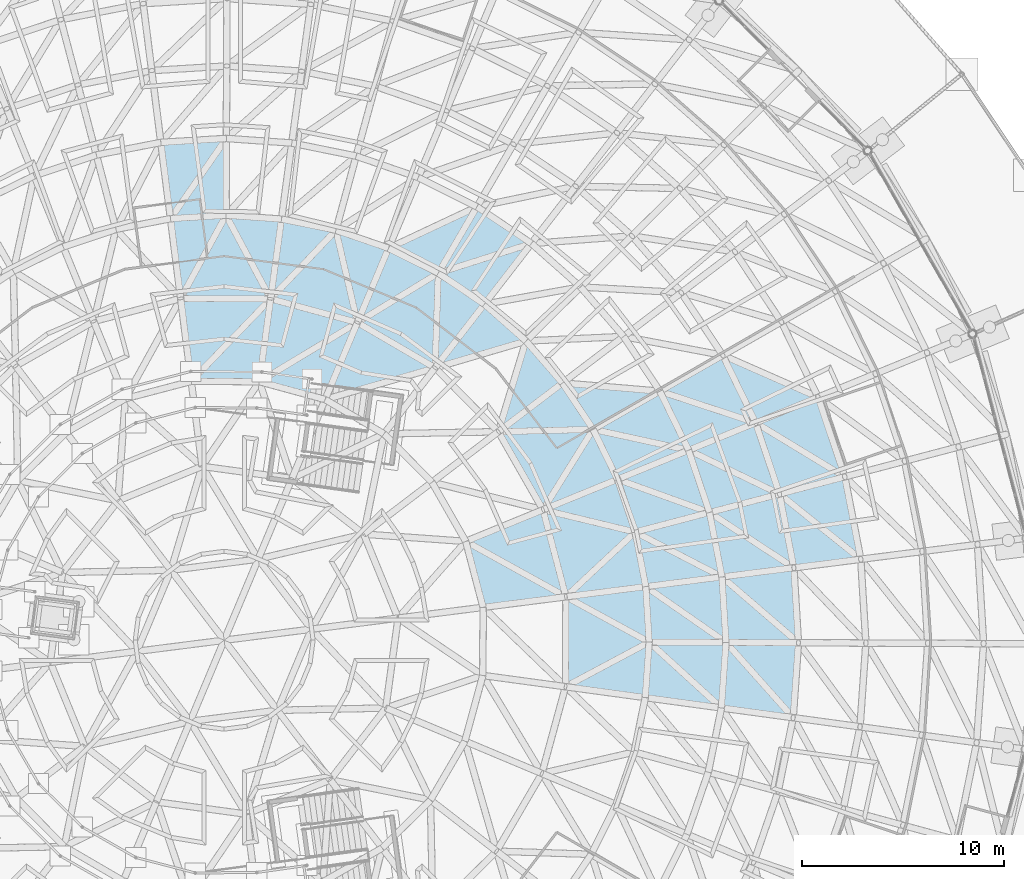
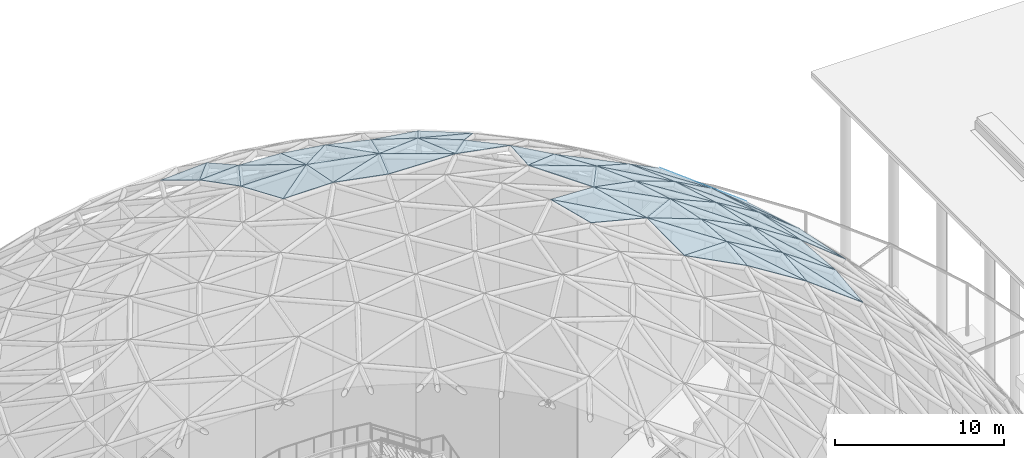
# One storey, part 151 of 226: 58 plates.
"""IFC4 building model written with IfcOpenShell, lengths in metres."""

from ifc_helpers import new_model, si_unit, direction, frame, origin, place, context, subcontext, project, spatial, polyline, outline, extrude, material, layer, layer_set, type_object, element, save


model = new_model("IFC4")

# Units and contexts
model_context = context("Model", 3, precision=1e-05, world=origin(), true_north=direction((0.0, 1.0)))
body_context = subcontext(model_context, "Body", "Model", "MODEL_VIEW")
ifc_project = project(units=[si_unit("LENGTHUNIT", "METRE"), si_unit("AREAUNIT", "SQUARE_METRE"), si_unit("VOLUMEUNIT", "CUBIC_METRE"), si_unit("PLANEANGLEUNIT", "RADIAN"), si_unit("MASSUNIT", "GRAM", prefix="KILO")], contexts=[model_context])

# Site, building, storey
site_placement = place(None, origin())
site = spatial("IfcSite", under=ifc_project, at=site_placement, CompositionType="ELEMENT")
building_placement = place(site_placement, origin())
building = spatial("IfcBuilding", under=site, at=building_placement, Name="Ceibo Conservatory and Research Tower", CompositionType="ELEMENT")
storey_placement = place(building_placement, origin())
storey = spatial("IfcBuildingStorey", under=building, at=storey_placement, Name="L00", CompositionType="ELEMENT", Elevation=0.0)

# Plates
ifc_material = material(Name="Laminated glass", Category="glass")
ifc_layer = layer(ifc_material, 0.035888671875)
ifc_layer_set = layer_set([ifc_layer], Name="Laminated glass")
plate_type = type_object("IfcPlateType", Name="Gridshell roof glass 36", PredefinedType="SHEET", material=ifc_layer_set)
plate_1_placement = place(storey_placement, frame((187.620849609375, 112.022705078125, 14.735107421875), z_axis=(0.632180999045, 0.122853903662, 0.765019021202), x_axis=(-0.190764654976, 0.981635801309, 0.0)))
element("IfcPlate", 1, at=plate_1_placement, inside=storey, type_object=plate_type, Name="Glass panel A-P04-001", PredefinedType="SHEET", context=body_context, shape_type="SweptSolid", body=[
    extrude(outline(polyline([(0.0, 0.0), (4.169588734096672, -1.1102230246251565e-16), (3.950102299217178, 4.372112161977718), (0.0, 0.0)])), origin(), (0.0, 0.0, -1.0), 0.035888671875),
])
plate_2_placement = place(storey_placement, frame((187.620849609375, 112.022705078125, 14.735107421875), z_axis=(0.632201146271, 0.122899902835, 0.764994983341), x_axis=(-0.685113764587, 0.549789812054, 0.477860117749)))
element("IfcPlate", 2, at=plate_2_placement, inside=storey, type_object=plate_type, Name="Glass panel A-P04-002", PredefinedType="SHEET", context=body_context, shape_type="SweptSolid", body=[
    extrude(outline(polyline([(0.0, 0.0), (5.892255334860694, -4.440892098500626e-16), (3.3911227864377533, 2.768068402707475), (0.0, 0.0)])), origin(), (0.0, 0.0, -1.0), 0.035888671875),
])
plate_3_placement = place(storey_placement, frame((186.825439453125, 116.11572265625, 14.735107421875), z_axis=(0.610779892155, 0.20446077531, 0.764946870507), x_axis=(-0.317439645997, 0.948278477637, 0.0)))
element("IfcPlate", 3, at=plate_3_placement, inside=storey, type_object=plate_type, Name="Glass panel A-P04-003", PredefinedType="SHEET", context=body_context, shape_type="SweptSolid", body=[
    extrude(outline(polyline([(0.0, 0.0), (4.169253414990529, 1.1102230246251565e-16), (3.9511782223790974, 4.371530440920581), (0.0, 0.0)])), origin(), (0.0, 0.0, -1.0), 0.035888671875),
])
plate_4_placement = place(storey_placement, frame((186.825439453125, 116.11572265625, 14.735107421875), z_axis=(0.610735918392, 0.204308966422, 0.765022538377), x_axis=(-0.750998574399, 0.455711868025, 0.477836619141)))
element("IfcPlate", 4, at=plate_4_placement, inside=storey, type_object=plate_type, Name="Glass panel A-P04-004", PredefinedType="SHEET", context=body_context, shape_type="SweptSolid", body=[
    extrude(outline(polyline([(0.0, 0.0), (5.892545098758103, 0.0), (3.390803005428059, 2.768753154470371), (0.0, 0.0)])), origin(), (0.0, 0.0, -1.0), 0.035888671875),
])
plate_5_placement = place(storey_placement, frame((185.501953125, 120.0693359375, 14.735107421875), z_axis=(0.578880737511, 0.282443557744, 0.764933152914), x_axis=(-0.804047227385, 0.3537956959, 0.477845855582)))
element("IfcPlate", 5, at=plate_5_placement, inside=storey, type_object=plate_type, Name="Glass panel A-P04-006", PredefinedType="SHEET", context=body_context, shape_type="SweptSolid", body=[
    extrude(outline(polyline([(0.0, 0.0), (5.892431199793323, 4.440892098500626e-16), (3.390734286170372, 2.767807107823177), (0.0, 0.0)])), origin(), (0.0, 0.0, -1.0), 0.035888671875),
])
plate_6_placement = place(storey_placement, frame((184.2958984375, 111.60009765625, 17.55078125), z_axis=(0.559639191027, 0.108793858736, 0.821564283649), x_axis=(-0.190827620624, 0.981623562883, 0.0)))
element("IfcPlate", 6, at=plate_6_placement, inside=storey, type_object=plate_type, Name="Glass panel A-P05-001", PredefinedType="SHEET", context=body_context, shape_type="SweptSolid", body=[
    extrude(outline(polyline([(0.0, 0.0), (3.73066571899013, 0.0), (3.4957060668333306, 4.37008531525886), (0.0, 0.0)])), origin(), (0.0, 0.0, -1.0), 0.035888671875),
])
plate_7_placement = place(storey_placement, frame((184.2958984375, 111.60009765625, 17.55078125), z_axis=(0.559669848346, 0.108868572224, 0.821533501955), x_axis=(-0.748971814786, 0.490749297794, 0.445203714462)))
element("IfcPlate", 7, at=plate_7_placement, inside=storey, type_object=plate_type, Name="Glass panel A-P05-002", PredefinedType="SHEET", context=body_context, shape_type="SweptSolid", body=[
    extrude(outline(polyline([(0.0, 0.0), (5.596213592093898, -2.220446049250313e-16), (3.559321338069287, 2.5458715288218237), (0.0, 0.0)])), origin(), (0.0, 0.0, -1.0), 0.035888671875),
])
plate_8_placement = place(storey_placement, frame((183.583984375, 115.26220703125, 17.55078125), z_axis=(0.540655760471, 0.180865110902, 0.82157115354), x_axis=(-0.317248220716, 0.948342536456, 0.0)))
element("IfcPlate", 8, at=plate_8_placement, inside=storey, type_object=plate_type, Name="Glass panel A-P05-003", PredefinedType="SHEET", context=body_context, shape_type="SweptSolid", body=[
    extrude(outline(polyline([(0.0, 0.0), (3.7315824434050784, 1.1102230246251565e-16), (3.4956492627569684, 4.370161202388543), (0.0, 0.0)])), origin(), (0.0, 0.0, -1.0), 0.035888671875),
])
plate_9_placement = place(storey_placement, frame((183.583984375, 115.26220703125, 17.55078125), z_axis=(0.540662237575, 0.18088960049, 0.821561499399), x_axis=(-0.806598383353, 0.388837221636, 0.44520182282)))
element("IfcPlate", 9, at=plate_9_placement, inside=storey, type_object=plate_type, Name="Glass panel A-P05-004", PredefinedType="SHEET", context=body_context, shape_type="SweptSolid", body=[
    extrude(outline(polyline([(0.0, 0.0), (5.596237370151074, 0.0), (3.559667075945538, 2.5459029850353927), (0.0, 0.0)])), origin(), (0.0, 0.0, -1.0), 0.035888671875),
])
plate_10_placement = place(storey_placement, frame((182.400146484375, 118.801025390625, 17.55078125), z_axis=(0.512356222357, 0.249985368139, 0.821582872952), x_axis=(-0.438502275837, 0.898730078547, 0.0)))
element("IfcPlate", 10, at=plate_10_placement, inside=storey, type_object=plate_type, Name="Glass panel A-P05-005", PredefinedType="SHEET", context=body_context, shape_type="SweptSolid", body=[
    extrude(outline(polyline([(0.0, 0.0), (3.7308502561409647, -2.220446049250313e-16), (3.4961486099480634, 4.370290669564486), (0.0, 0.0)])), origin(), (0.0, 0.0, -1.0), 0.035888671875),
])
plate_11_placement = place(storey_placement, frame((182.400146484375, 118.801025390625, 17.55078125), z_axis=(0.512359595382, 0.25001167626, 0.821572764126), x_axis=(-0.850510471446, 0.280100925125, 0.44516896759)))
element("IfcPlate", 11, at=plate_11_placement, inside=storey, type_object=plate_type, Name="Glass panel A-P05-006", PredefinedType="SHEET", context=body_context, shape_type="SweptSolid", body=[
    extrude(outline(polyline([(0.0, 0.0), (5.596650394595342, 2.220446049250313e-16), (3.559665229671319, 2.546125851811305), (0.0, 0.0)])), origin(), (0.0, 0.0, -1.0), 0.035888671875),
])
plate_12_placement = place(storey_placement, frame((184.263916015625, 104.154052734375, 17.55078125), z_axis=(0.568732881221, -0.039736306403, 0.821561887974), x_axis=(0.069698225387, 0.997568121673, 0.0)))
element("IfcPlate", 12, at=plate_12_placement, inside=storey, type_object=plate_type, Name="Glass panel A-P05-093", PredefinedType="SHEET", context=body_context, shape_type="SweptSolid", body=[
    extrude(outline(polyline([(0.0, 0.0), (3.730507687670031, 0.0), (3.4958145110330494, 4.370058852904279), (0.0, 0.0)])), origin(), (0.0, 0.0, -1.0), 0.035888671875),
])
plate_13_placement = place(storey_placement, frame((184.263916015625, 104.154052734375, 17.55078125), z_axis=(0.568635694864, -0.03986382489, 0.821622980443), x_axis=(-0.596450169592, 0.667865392502, 0.445199969331)))
element("IfcPlate", 13, at=plate_13_placement, inside=storey, type_object=plate_type, Name="Glass panel A-P05-094", PredefinedType="SHEET", context=body_context, shape_type="SweptSolid", body=[
    extrude(outline(polyline([(0.0, 0.0), (5.596260668821307, -2.220446049250313e-16), (3.559911507223866, 2.546613796477314), (0.0, 0.0)])), origin(), (0.0, 0.0, -1.0), 0.035888671875),
])
plate_14_placement = place(storey_placement, frame((184.52392578125, 107.87548828125, 17.55078125), z_axis=(0.569090988201, 0.034840782838, 0.821536102067), x_axis=(-0.061107402824, 0.998131196447, 0.0)))
element("IfcPlate", 14, at=plate_14_placement, inside=storey, type_object=plate_type, Name="Glass panel A-P05-095", PredefinedType="SHEET", context=body_context, shape_type="SweptSolid", body=[
    extrude(outline(polyline([(0.0, 0.0), (3.7315829705147348, 0.0), (3.4964130459758476, 4.3697740600050805), (0.0, 0.0)])), origin(), (0.0, 0.0, -1.0), 0.035888671875),
])
plate_15_placement = place(storey_placement, frame((184.52392578125, 107.87548828125, 17.55078125), z_axis=(0.569063433344, 0.034792700538, 0.821557226747), x_axis=(-0.678448059869, 0.584393660623, 0.4451879148)))
element("IfcPlate", 15, at=plate_15_placement, inside=storey, type_object=plate_type, Name="Glass panel A-P05-096", PredefinedType="SHEET", context=body_context, shape_type="SweptSolid", body=[
    extrude(outline(polyline([(0.0, 0.0), (5.596412201005515, 5.551115123125783e-16), (3.5595707300836565, 2.5459676907884607), (0.0, 0.0)])), origin(), (0.0, 0.0, -1.0), 0.035888671875),
])
plate_16_placement = place(storey_placement, frame((180.72705078125, 111.14599609375, 20.042236328125), z_axis=(0.481870066812, 0.093734737232, 0.871214690961), x_axis=(-0.190943814738, 0.98160096761, 0.0)))
element("IfcPlate", 16, at=plate_16_placement, inside=storey, type_object=plate_type, Name="Glass panel A-P06-001", PredefinedType="SHEET", context=body_context, shape_type="SweptSolid", body=[
    extrude(outline(polyline([(0.0, 0.0), (3.2604281767539405, 1.1102230246251565e-16), (3.011051529178231, 4.371037627159272), (0.0, 0.0)])), origin(), (0.0, 0.0, -1.0), 0.035888671875),
])
plate_17_placement = place(storey_placement, frame((180.72705078125, 111.14599609375, 20.042236328125), z_axis=(0.481876977089, 0.093753762431, 0.871208821685), x_axis=(-0.812580405363, 0.419859274321, 0.404266341149)))
element("IfcPlate", 17, at=plate_17_placement, inside=storey, type_object=plate_type, Name="Glass panel A-P06-002", PredefinedType="SHEET", context=body_context, shape_type="SweptSolid", body=[
    extrude(outline(polyline([(0.0, 0.0), (5.307768010134648, 2.220446049250313e-16), (3.741251569925175, 2.2739069111641284), (0.0, 0.0)])), origin(), (0.0, 0.0, -1.0), 0.035888671875),
])
plate_18_placement = place(storey_placement, frame((180.1044921875, 114.346435546875, 20.042236328125), z_axis=(0.465599720078, 0.155775901293, 0.871177805755), x_axis=(-0.317283434313, 0.948330755755, 0.0)))
element("IfcPlate", 18, at=plate_18_placement, inside=storey, type_object=plate_type, Name="Glass panel A-P06-003", PredefinedType="SHEET", context=body_context, shape_type="SweptSolid", body=[
    extrude(outline(polyline([(0.0, 0.0), (3.2602516118319063, 0.0), (3.0105649577236844, 4.370454885644657), (0.0, 0.0)])), origin(), (0.0, 0.0, -1.0), 0.035888671875),
])
plate_19_placement = place(storey_placement, frame((180.1044921875, 114.346435546875, 20.042236328125), z_axis=(0.465569273811, 0.155638241436, 0.871218680405), x_axis=(-0.86035567575, 0.310338968485, 0.404323924402)))
element("IfcPlate", 19, at=plate_19_placement, inside=storey, type_object=plate_type, Name="Glass panel A-P06-004", PredefinedType="SHEET", context=body_context, shape_type="SweptSolid", body=[
    extrude(outline(polyline([(0.0, 0.0), (5.307012085168929, -3.3306690738754696e-16), (3.7410351398121575, 2.2743822750559963), (0.0, 0.0)])), origin(), (0.0, 0.0, -1.0), 0.035888671875),
])
plate_20_placement = place(storey_placement, frame((179.070068359375, 117.438232421875, 20.042236328125), z_axis=(0.441206361546, 0.215291648719, 0.871198285423), x_axis=(-0.438537216855, 0.898713029522, 0.0)))
element("IfcPlate", 20, at=plate_20_placement, inside=storey, type_object=plate_type, Name="Glass panel A-P06-005", PredefinedType="SHEET", context=body_context, shape_type="SweptSolid", body=[
    extrude(outline(polyline([(0.0, 0.0), (3.2606848077332447, 0.0), (3.0112453088253677, 4.370778407725669), (0.0, 0.0)])), origin(), (0.0, 0.0, -1.0), 0.035888671875),
])
plate_21_placement = place(storey_placement, frame((179.070068359375, 117.438232421875, 20.042236328125), z_axis=(0.44121363703, 0.215375465247, 0.871173883601), x_axis=(-0.893552296286, 0.195260449796, 0.404274226915)))
element("IfcPlate", 21, at=plate_21_placement, inside=storey, type_object=plate_type, Name="Glass panel A-P06-006", PredefinedType="SHEET", context=body_context, shape_type="SweptSolid", body=[
    extrude(outline(polyline([(0.0, 0.0), (5.307664476901654, 1.1102230246251565e-16), (3.7409298838478167, 2.273469361313094), (0.0, 0.0)])), origin(), (0.0, 0.0, -1.0), 0.035888671875),
])
plate_22_placement = place(storey_placement, frame((177.64013671875, 120.36865234375, 20.042236328125), z_axis=(0.409432041815, 0.270871070921, 0.87120276978), x_axis=(-0.911353352823, 0.077015776295, 0.404355829066)))
element("IfcPlate", 22, at=plate_22_placement, inside=storey, type_object=plate_type, Name="Glass panel A-P06-008", PredefinedType="SHEET", context=body_context, shape_type="SweptSolid", body=[
    extrude(outline(polyline([(0.0, 0.0), (5.306593348938722, 1.1102230246251565e-16), (3.7408566000053782, 2.2741846563664385), (0.0, 0.0)])), origin(), (0.0, 0.0, -1.0), 0.035888671875),
])
plate_23_placement = place(storey_placement, frame((171.259521484375, 127.708251953125, 20.042236328125), z_axis=(0.274629343555, 0.406961785308, 0.871183579366), x_axis=(-0.828914653814, 0.559375094808, 0.0)))
element("IfcPlate", 23, at=plate_23_placement, inside=storey, type_object=plate_type, Name="Glass panel A-P06-013", PredefinedType="SHEET", context=body_context, shape_type="SweptSolid", body=[
    extrude(outline(polyline([(0.0, 0.0), (3.259863274301928, 0.0), (3.0104385485394936, 4.370546084690857), (0.0, 0.0)])), origin(), (0.0, 0.0, -1.0), 0.035888671875),
])
plate_24_placement = place(storey_placement, frame((171.259521484375, 127.708251953125, 20.042236328125), z_axis=(0.274584262684, 0.407058364757, 0.871152667658), x_axis=(-0.871533945163, -0.277400353092, 0.40432366556)))
element("IfcPlate", 24, at=plate_24_placement, inside=storey, type_object=plate_type, Name="Glass panel A-P06-014", PredefinedType="SHEET", context=body_context, shape_type="SweptSolid", body=[
    extrude(outline(polyline([(0.0, 0.0), (5.307015482636089, -3.3306690738754696e-16), (3.740020681835353, 2.274169122930282), (0.0, 0.0)])), origin(), (0.0, 0.0, -1.0), 0.035888671875),
])
plate_25_placement = place(storey_placement, frame((168.557373046875, 129.53173828125, 20.042236328125), z_axis=(0.219079391027, 0.439374201698, 0.871179964938), x_axis=(-0.827904044198, -0.388768541672, 0.404269606337)))
element("IfcPlate", 25, at=plate_25_placement, inside=storey, type_object=plate_type, Name="Glass panel A-P06-016", PredefinedType="SHEET", context=body_context, shape_type="SweptSolid", body=[
    extrude(outline(polyline([(0.0, 0.0), (5.307725140580083, -3.3306690738754696e-16), (3.7408477222334784, 2.2737511058356494), (0.0, 0.0)])), origin(), (0.0, 0.0, -1.0), 0.035888671875),
])
plate_26_placement = place(storey_placement, frame((156.1083984375, 132.926025390625, 20.042236328125), z_axis=(-0.029958632757, 0.489998251112, 0.871208467722), x_axis=(-0.998136156619, -0.061026329156, 0.0)))
element("IfcPlate", 26, at=plate_26_placement, inside=storey, type_object=plate_type, Name="Glass panel A-P06-023", PredefinedType="SHEET", context=body_context, shape_type="SweptSolid", body=[
    extrude(outline(polyline([(0.0, 0.0), (3.2604715395485115, -2.7755575615628914e-17), (3.0104601837676044, 4.370939289453489), (0.0, 0.0)])), origin(), (0.0, 0.0, -1.0), 0.035888671875),
])
plate_27_placement = place(storey_placement, frame((156.1083984375, 132.926025390625, 20.042236328125), z_axis=(-0.029991185499, 0.490015172623, 0.871197830226), x_axis=(-0.522381247198, -0.750773541345, 0.40429806108)))
element("IfcPlate", 27, at=plate_27_placement, inside=storey, type_object=plate_type, Name="Glass panel A-P06-024", PredefinedType="SHEET", context=body_context, shape_type="SweptSolid", body=[
    extrude(outline(polyline([(0.0, 0.0), (5.307351579661766, -3.3306690738754696e-16), (3.740830877042015, 2.274186750416638), (0.0, 0.0)])), origin(), (0.0, 0.0, -1.0), 0.035888671875),
])
plate_28_placement = place(storey_placement, frame((180.697998046875, 104.638916015625, 20.042236328125), z_axis=(0.489740328046, -0.034332917991, 0.871192092381), x_axis=(0.069932695265, 0.997551712009, 0.0)))
element("IfcPlate", 28, at=plate_28_placement, inside=storey, type_object=plate_type, Name="Glass panel A-P06-093", PredefinedType="SHEET", context=body_context, shape_type="SweptSolid", body=[
    extrude(outline(polyline([(0.0, 0.0), (3.2606686026560867, 2.7755575615628914e-17), (3.0098850054879334, 4.370680566432752), (0.0, 0.0)])), origin(), (0.0, 0.0, -1.0), 0.035888671875),
])
plate_29_placement = place(storey_placement, frame((180.697998046875, 104.638916015625, 20.042236328125), z_axis=(0.489768899145, -0.0342920704, 0.87117763937), x_axis=(-0.676091493235, 0.615962779186, 0.404339149023)))
element("IfcPlate", 29, at=plate_29_placement, inside=storey, type_object=plate_type, Name="Glass panel A-P06-094", PredefinedType="SHEET", context=body_context, shape_type="SweptSolid", body=[
    extrude(outline(polyline([(0.0, 0.0), (5.306812259733146, -4.440892098500626e-16), (3.740455873526321, 2.274150642060169), (0.0, 0.0)])), origin(), (0.0, 0.0, -1.0), 0.035888671875),
])
plate_30_placement = place(storey_placement, frame((180.926025390625, 107.8916015625, 20.042236328125), z_axis=(0.489998251112, 0.029958632757, 0.871208467722), x_axis=(-0.061026329156, 0.998136156619, 0.0)))
element("IfcPlate", 30, at=plate_30_placement, inside=storey, type_object=plate_type, Name="Glass panel A-P06-095", PredefinedType="SHEET", context=body_context, shape_type="SweptSolid", body=[
    extrude(outline(polyline([(0.0, 0.0), (3.2604715395485115, -2.7755575615628914e-17), (3.0104601837676044, 4.370939289453489), (0.0, 0.0)])), origin(), (0.0, 0.0, -1.0), 0.035888671875),
])
plate_31_placement = place(storey_placement, frame((180.926025390625, 107.8916015625, 20.042236328125), z_axis=(0.490015172623, 0.029991185499, 0.871197830226), x_axis=(-0.750773541345, 0.522381247198, 0.40429806108)))
element("IfcPlate", 31, at=plate_31_placement, inside=storey, type_object=plate_type, Name="Glass panel A-P06-096", PredefinedType="SHEET", context=body_context, shape_type="SweptSolid", body=[
    extrude(outline(polyline([(0.0, 0.0), (5.307351579661766, -3.3306690738754696e-16), (3.740830877042015, 2.274186750416638), (0.0, 0.0)])), origin(), (0.0, 0.0, -1.0), 0.035888671875),
])
plate_32_placement = place(storey_placement, frame((172.975830078125, 110.159912109375, 23.970458984375), z_axis=(0.407209701731, 0.024923109291, 0.912994576895), x_axis=(0.821259687133, -0.447391083843, -0.354081550476)))
element("IfcPlate", 32, at=plate_32_placement, inside=storey, type_object=plate_type, Name="Glass panel A-P07-001", PredefinedType="SHEET", context=body_context, shape_type="SweptSolid", body=[
    extrude(outline(polyline([(0.0, 0.0), (5.034068283787201, 4.996003610813204e-16), (3.662355446775371, 2.396730352017895), (0.0, 0.0)])), origin(), (0.0, 0.0, -1.0), 0.035888671875),
])
plate_33_placement = place(storey_placement, frame((172.975830078125, 110.159912109375, 23.970458984375), z_axis=(0.400470990238, 0.077915451172, 0.912990782235), x_axis=(0.906026061236, 0.11518462208, -0.407245968915)))
element("IfcPlate", 33, at=plate_33_placement, inside=storey, type_object=plate_type, Name="Glass panel A-P07-002", PredefinedType="SHEET", context=body_context, shape_type="SweptSolid", body=[
    extrude(outline(polyline([(0.0, 0.0), (4.3768897403075, -2.0816681711721685e-17), (4.211304628507482, 2.7563033158266026), (0.0, 0.0)])), origin(), (0.0, 0.0, -1.0), 0.035888671875),
])
plate_34_placement = place(storey_placement, frame((172.975830078125, 110.159912109375, 23.970458984375), z_axis=(0.382139696211, 0.100636958708, 0.918608434058), x_axis=(0.683121518537, 0.638689273207, -0.354148278552)))
element("IfcPlate", 34, at=plate_34_placement, inside=storey, type_object=plate_type, Name="Glass panel A-P07-003", PredefinedType="SHEET", context=body_context, shape_type="SweptSolid", body=[
    extrude(outline(polyline([(0.0, 0.0), (5.033119772360406, -3.3306690738754696e-16), (1.9819971711480149, 4.003626914101606), (0.0, 0.0)])), origin(), (0.0, 0.0, -1.0), 0.035888671875),
])
plate_35_placement = place(storey_placement, frame((171.838134765625, 114.47998046875, 23.970458984375), z_axis=(0.386892153049, 0.129336744741, 0.913009566417), x_axis=(0.909054153243, -0.219612506316, -0.354105766037)))
element("IfcPlate", 35, at=plate_35_placement, inside=storey, type_object=plate_type, Name="Glass panel A-P07-004", PredefinedType="SHEET", context=body_context, shape_type="SweptSolid", body=[
    extrude(outline(polyline([(0.0, 0.0), (5.0337240284850555, 0.0), (3.6627153495824496, 2.396963439197925), (0.0, 0.0)])), origin(), (0.0, 0.0, -1.0), 0.035888671875),
])
plate_36_placement = place(storey_placement, frame((171.838134765625, 114.47998046875, 23.970458984375), z_axis=(0.366598612819, 0.178952643727, 0.913006795365), x_axis=(0.845366731436, 0.345743113292, -0.407206076811)))
element("IfcPlate", 36, at=plate_36_placement, inside=storey, type_object=plate_type, Name="Glass panel A-P07-005", PredefinedType="SHEET", context=body_context, shape_type="SweptSolid", body=[
    extrude(outline(polyline([(0.0, 0.0), (4.37731852404168, -4.163336342344337e-17), (4.211284077199785, 2.756039329248196), (0.0, 0.0)])), origin(), (0.0, 0.0, -1.0), 0.035888671875),
])
plate_37_placement = place(storey_placement, frame((171.838134765625, 114.47998046875, 23.970458984375), z_axis=(0.34311311937, 0.19608315377, 0.918599359963), x_axis=(0.494591412434, 0.793694065344, -0.354159660865)))
element("IfcPlate", 37, at=plate_37_placement, inside=storey, type_object=plate_type, Name="Glass panel A-P07-006", PredefinedType="SHEET", context=body_context, shape_type="SweptSolid", body=[
    extrude(outline(polyline([(0.0, 0.0), (5.032958013260124, -1.1102230246251565e-16), (1.9819163539824523, 4.003031799736386), (0.0, 0.0)])), origin(), (0.0, 0.0, -1.0), 0.035888671875),
])
plate_38_placement = place(storey_placement, frame((169.621826171875, 118.358154296875, 23.970458984375), z_axis=(0.340267933711, 0.225113645712, 0.912984983339), x_axis=(0.934905203171, 0.023137375839, -0.354142517814)))
element("IfcPlate", 38, at=plate_38_placement, inside=storey, type_object=plate_type, Name="Glass panel A-P07-007", PredefinedType="SHEET", context=body_context, shape_type="SweptSolid", body=[
    extrude(outline(polyline([(0.0, 0.0), (5.033201644713687, 0.0), (3.662211229949117, 2.396629445875303), (0.0, 0.0)])), origin(), (0.0, 0.0, -1.0), 0.035888671875),
])
plate_39_placement = place(storey_placement, frame((169.621826171875, 118.358154296875, 23.970458984375), z_axis=(0.307963993064, 0.267606608331, 0.912986791884), x_axis=(0.727058940296, 0.55274106486, -0.407262338737)))
element("IfcPlate", 39, at=plate_39_placement, inside=storey, type_object=plate_type, Name="Glass panel A-P07-008", PredefinedType="SHEET", context=body_context, shape_type="SweptSolid", body=[
    extrude(outline(polyline([(0.0, 0.0), (4.376713812165697, 2.42861286636753e-16), (4.211938083613154, 2.756902291896569), (0.0, 0.0)])), origin(), (0.0, 0.0, -1.0), 0.035888671875),
])
plate_40_placement = place(storey_placement, frame((166.4765625, 121.530517578125, 23.970458984375), z_axis=(0.270271327109, 0.305578990472, 0.913003225802), x_axis=(0.897036088813, 0.264498828371, -0.354071497239)))
element("IfcPlate", 40, at=plate_40_placement, inside=storey, type_object=plate_type, Name="Glass panel A-P07-010", PredefinedType="SHEET", context=body_context, shape_type="SweptSolid", body=[
    extrude(outline(polyline([(0.0, 0.0), (5.034211217298663, 5.551115123125783e-17), (3.662523580409443, 2.396871404146357), (0.0, 0.0)])), origin(), (0.0, 0.0, -1.0), 0.035888671875),
])
plate_41_placement = place(storey_placement, frame((166.4765625, 121.530517578125, 23.970458984375), z_axis=(0.228135191726, 0.338199783118, 0.913003417844), x_axis=(0.559105649822, 0.722196723253, -0.407225693271)))
element("IfcPlate", 41, at=plate_41_placement, inside=storey, type_object=plate_type, Name="Glass panel A-P07-011", PredefinedType="SHEET", context=body_context, shape_type="SweptSolid", body=[
    extrude(outline(polyline([(0.0, 0.0), (4.377107664322382, 1.6653345369377348e-16), (4.212391767660467, 2.7568435898347388), (0.0, 0.0)])), origin(), (0.0, 0.0, -1.0), 0.035888671875),
])
plate_42_placement = place(storey_placement, frame((166.4765625, 121.530517578125, 23.970458984375), z_axis=(0.199028889129, 0.341309604163, 0.918637717165), x_axis=(0.031327900981, 0.93469653795, -0.354063475333)))
element("IfcPlate", 42, at=plate_42_placement, inside=storey, type_object=plate_type, Name="Glass panel A-P07-012", PredefinedType="SHEET", context=body_context, shape_type="SweptSolid", body=[
    extrude(outline(polyline([(0.0, 0.0), (5.034325275850436, -1.1102230246251565e-16), (1.9824045867603157, 4.003083493377818), (0.0, 0.0)])), origin(), (0.0, 0.0, -1.0), 0.035888671875),
])
plate_43_placement = place(storey_placement, frame((162.61767578125, 123.78076171875, 23.970458984375), z_axis=(0.182021530861, 0.365052889911, 0.913019468506), x_axis=(0.7979301895, 0.487769506188, -0.354102134302)))
element("IfcPlate", 43, at=plate_43_placement, inside=storey, type_object=plate_type, Name="Glass panel A-P07-013", PredefinedType="SHEET", context=body_context, shape_type="SweptSolid", body=[
    extrude(outline(polyline([(0.0, 0.0), (5.033775655256227, -1.1102230246251565e-16), (3.662956153207764, 2.397061290041822), (0.0, 0.0)])), origin(), (0.0, 0.0, -1.0), 0.035888671875),
])
plate_44_placement = place(storey_placement, frame((162.61767578125, 123.78076171875, 23.970458984375), z_axis=(0.132762062917, 0.385698859231, 0.913022795246), x_axis=(0.353028937503, 0.842361622756, -0.407182349559)))
element("IfcPlate", 44, at=plate_44_placement, inside=storey, type_object=plate_type, Name="Glass panel A-P07-014", PredefinedType="SHEET", context=body_context, shape_type="SweptSolid", body=[
    extrude(outline(polyline([(0.0, 0.0), (4.377573598300728, 4.163336342344337e-17), (4.212886507408967, 2.756264055384131), (0.0, 0.0)])), origin(), (0.0, 0.0, -1.0), 0.035888671875),
])
plate_45_placement = place(storey_placement, frame((162.61767578125, 123.78076171875, 23.970458984375), z_axis=(0.103921491762, 0.381182218069, 0.918640539155), x_axis=(-0.211629001354, 0.910964892399, -0.354056677104)))
element("IfcPlate", 45, at=plate_45_placement, inside=storey, type_object=plate_type, Name="Glass panel A-P07-015", PredefinedType="SHEET", context=body_context, shape_type="SweptSolid", body=[
    extrude(outline(polyline([(0.0, 0.0), (5.03442193973758, 0.0), (1.9825616252480445, 4.003347877980378), (0.0, 0.0)])), origin(), (0.0, 0.0, -1.0), 0.035888671875),
])
plate_46_placement = place(storey_placement, frame((158.3076171875, 124.955810546875, 23.970458984375), z_axis=(0.081312869546, 0.399746187862, 0.91301215903), x_axis=(0.644549380472, 0.677625578929, -0.35408991925)))
element("IfcPlate", 46, at=plate_46_placement, inside=storey, type_object=plate_type, Name="Glass panel A-P07-016", PredefinedType="SHEET", context=body_context, shape_type="SweptSolid", body=[
    extrude(outline(polyline([(0.0, 0.0), (5.0339493055935876, -2.7755575615628914e-16), (3.663128106836253, 2.3963389062024545), (0.0, 0.0)])), origin(), (0.0, 0.0, -1.0), 0.035888671875),
])
plate_47_placement = place(storey_placement, frame((158.3076171875, 124.955810546875, 23.970458984375), z_axis=(0.028492439874, 0.406936960889, 0.913011769219), x_axis=(0.123204699951, 0.904988438841, -0.407205755699)))
element("IfcPlate", 47, at=plate_47_placement, inside=storey, type_object=plate_type, Name="Glass panel A-P07-017", PredefinedType="SHEET", context=body_context, shape_type="SweptSolid", body=[
    extrude(outline(polyline([(0.0, 0.0), (4.377321975874442, 6.938893903907228e-17), (4.212483654863948, 2.7564581983625343), (0.0, 0.0)])), origin(), (0.0, 0.0, -1.0), 0.035888671875),
])
plate_48_placement = place(storey_placement, frame((158.3076171875, 124.955810546875, 23.970458984375), z_axis=(0.001770492032, 0.395100410812, 0.918636234172), x_axis=(-0.44005719562, 0.825216358901, -0.354072909987)))
element("IfcPlate", 48, at=plate_48_placement, inside=storey, type_object=plate_type, Name="Glass panel A-P07-018", PredefinedType="SHEET", context=body_context, shape_type="SweptSolid", body=[
    extrude(outline(polyline([(0.0, 0.0), (5.034191130838791, -1.6653345369377348e-16), (1.9824888584162523, 4.003617954590988), (0.0, 0.0)])), origin(), (0.0, 0.0, -1.0), 0.035888671875),
])
plate_49_placement = place(storey_placement, frame((153.840087890625, 124.975830078125, 23.970458984375), z_axis=(-0.024923109291, 0.407209701731, 0.912994576895), x_axis=(0.447391083843, 0.821259687133, -0.354081550476)))
element("IfcPlate", 49, at=plate_49_placement, inside=storey, type_object=plate_type, Name="Glass panel A-P07-019", PredefinedType="SHEET", context=body_context, shape_type="SweptSolid", body=[
    extrude(outline(polyline([(0.0, 0.0), (5.034068283787201, 4.996003610813204e-16), (3.662355446775371, 2.396730352017895), (0.0, 0.0)])), origin(), (0.0, 0.0, -1.0), 0.035888671875),
])
plate_50_placement = place(storey_placement, frame((172.955810546875, 105.6923828125, 23.970458984375), z_axis=(0.406936960889, -0.028492439874, 0.913011769219), x_axis=(0.904988438841, -0.123204699951, -0.407205755699)))
element("IfcPlate", 50, at=plate_50_placement, inside=storey, type_object=plate_type, Name="Glass panel A-P07-071", PredefinedType="SHEET", context=body_context, shape_type="SweptSolid", body=[
    extrude(outline(polyline([(0.0, 0.0), (4.377321975874442, 6.938893903907228e-17), (4.212483654863948, 2.7564581983625343), (0.0, 0.0)])), origin(), (0.0, 0.0, -1.0), 0.035888671875),
])
plate_51_placement = place(storey_placement, frame((172.955810546875, 105.6923828125, 23.970458984375), z_axis=(0.395100410812, -0.001770492032, 0.918636234172), x_axis=(0.825216358901, 0.44005719562, -0.354072909987)))
element("IfcPlate", 51, at=plate_51_placement, inside=storey, type_object=plate_type, Name="Glass panel A-P07-072", PredefinedType="SHEET", context=body_context, shape_type="SweptSolid", body=[
    extrude(outline(polyline([(0.0, 0.0), (5.034191130838791, -1.6653345369377348e-16), (1.9824888584162523, 4.003617954590988), (0.0, 0.0)])), origin(), (0.0, 0.0, -1.0), 0.035888671875),
])
plate_52_placement = place(storey_placement, frame((172.975830078125, 110.159912109375, 23.970458984375), z_axis=(0.312136703471, 0.082201584525, 0.946474288001), x_axis=(-0.254668146218, 0.967028508009, 0.0)))
element("IfcPlate", 52, at=plate_52_placement, inside=storey, type_object=plate_type, Name="Glass panel A-P08-001", PredefinedType="SHEET", context=body_context, shape_type="SweptSolid", body=[
    extrude(outline(polyline([(0.0, 0.0), (4.467364016258075, 0.0), (3.9257929376646996, 4.343078488735411), (0.0, 0.0)])), origin(), (0.0, 0.0, -1.0), 0.035888671875),
])
plate_53_placement = place(storey_placement, frame((172.975830078125, 110.159912109375, 23.970458984375), z_axis=(0.312107357561, 0.082140865451, 0.946489236906), x_axis=(-0.849760921174, 0.46964751898, 0.239452677498)))
element("IfcPlate", 53, at=plate_53_placement, inside=storey, type_object=plate_type, Name="Glass panel A-P08-002", PredefinedType="SHEET", context=body_context, shape_type="SweptSolid", body=[
    extrude(outline(polyline([(0.0, 0.0), (5.854415508719405, 5.551115123125783e-17), (3.58480860617293, 2.5116095956523146), (0.0, 0.0)])), origin(), (0.0, 0.0, -1.0), 0.035888671875),
])
plate_54_placement = place(storey_placement, frame((166.4765625, 121.530517578125, 23.970458984375), z_axis=(0.162575252815, 0.278796185961, 0.946489288828), x_axis=(-0.863854216882, 0.503741890232, 0.0)))
element("IfcPlate", 54, at=plate_54_placement, inside=storey, type_object=plate_type, Name="Glass panel A-P08-007", PredefinedType="SHEET", context=body_context, shape_type="SweptSolid", body=[
    extrude(outline(polyline([(0.0, 0.0), (4.467057801345566, 2.220446049250313e-16), (3.9261762398217486, 4.343670462943763), (0.0, 0.0)])), origin(), (0.0, 0.0, -1.0), 0.035888671875),
])
plate_55_placement = place(storey_placement, frame((162.61767578125, 123.78076171875, 23.970458984375), z_axis=(0.084900391545, 0.311413154444, 0.94647438991), x_axis=(-0.964787779078, 0.263029544619, 0.0)))
element("IfcPlate", 55, at=plate_55_placement, inside=storey, type_object=plate_type, Name="Glass panel A-P08-009", PredefinedType="SHEET", context=body_context, shape_type="SweptSolid", body=[
    extrude(outline(polyline([(0.0, 0.0), (4.46736441652527, 0.0), (3.926429517737648, 4.343082509464306), (0.0, 0.0)])), origin(), (0.0, 0.0, -1.0), 0.035888671875),
])
plate_56_placement = place(storey_placement, frame((162.61767578125, 123.78076171875, 23.970458984375), z_axis=(0.084938744478, 0.311356713111, 0.946489517579), x_axis=(-0.831684604512, -0.500970611111, 0.239435096471)))
element("IfcPlate", 56, at=plate_56_placement, inside=storey, type_object=plate_type, Name="Glass panel A-P08-010", PredefinedType="SHEET", context=body_context, shape_type="SweptSolid", body=[
    extrude(outline(polyline([(0.0, 0.0), (5.854845381543075, -7.216449660063518e-16), (3.58517460273353, 2.5112843371790854), (0.0, 0.0)])), origin(), (0.0, 0.0, -1.0), 0.035888671875),
])
plate_57_placement = place(storey_placement, frame((158.3076171875, 124.955810546875, 23.970458984375), z_axis=(0.001446309681, 0.322756351752, 0.946480980048), x_axis=(-0.999989959937, 0.004481074196, 0.0)))
element("IfcPlate", 57, at=plate_57_placement, inside=storey, type_object=plate_type, Name="Glass panel A-P08-011", PredefinedType="SHEET", context=body_context, shape_type="SweptSolid", body=[
    extrude(outline(polyline([(0.0, 0.0), (4.467574151602624, 0.0), (3.9249775739560993, 4.343342544376458), (0.0, 0.0)])), origin(), (0.0, 0.0, -1.0), 0.035888671875),
])
plate_58_placement = place(storey_placement, frame((158.3076171875, 124.955810546875, 23.970458984375), z_axis=(0.001420496105, 0.322778631304, 0.946473421373), x_axis=(-0.673610488219, -0.699217028571, 0.239467027201)))
element("IfcPlate", 58, at=plate_58_placement, inside=storey, type_object=plate_type, Name="Glass panel A-P08-012", PredefinedType="SHEET", context=body_context, shape_type="SweptSolid", body=[
    extrude(outline(polyline([(0.0, 0.0), (5.85406469163511, 1.1102230246251565e-16), (3.58495757775191, 2.51058865895238), (0.0, 0.0)])), origin(), (0.0, 0.0, -1.0), 0.035888671875),
])

save(model, "model.ifc")
